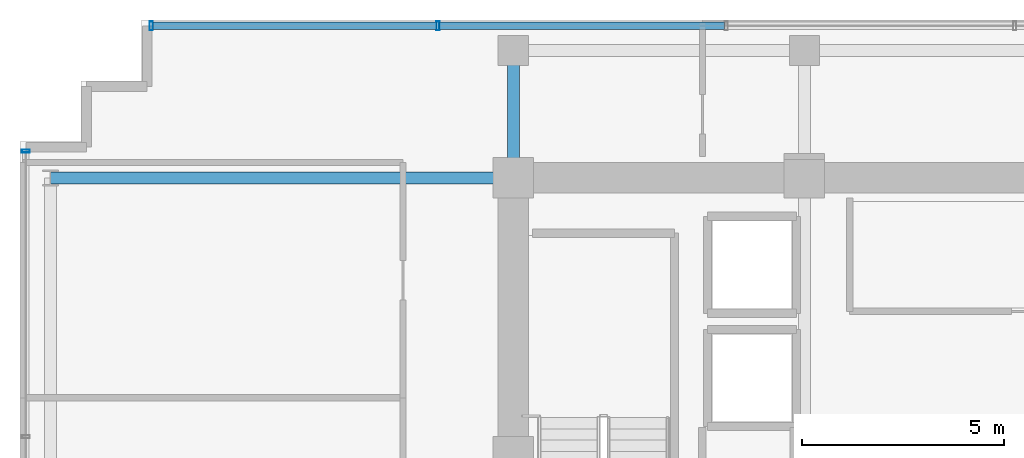
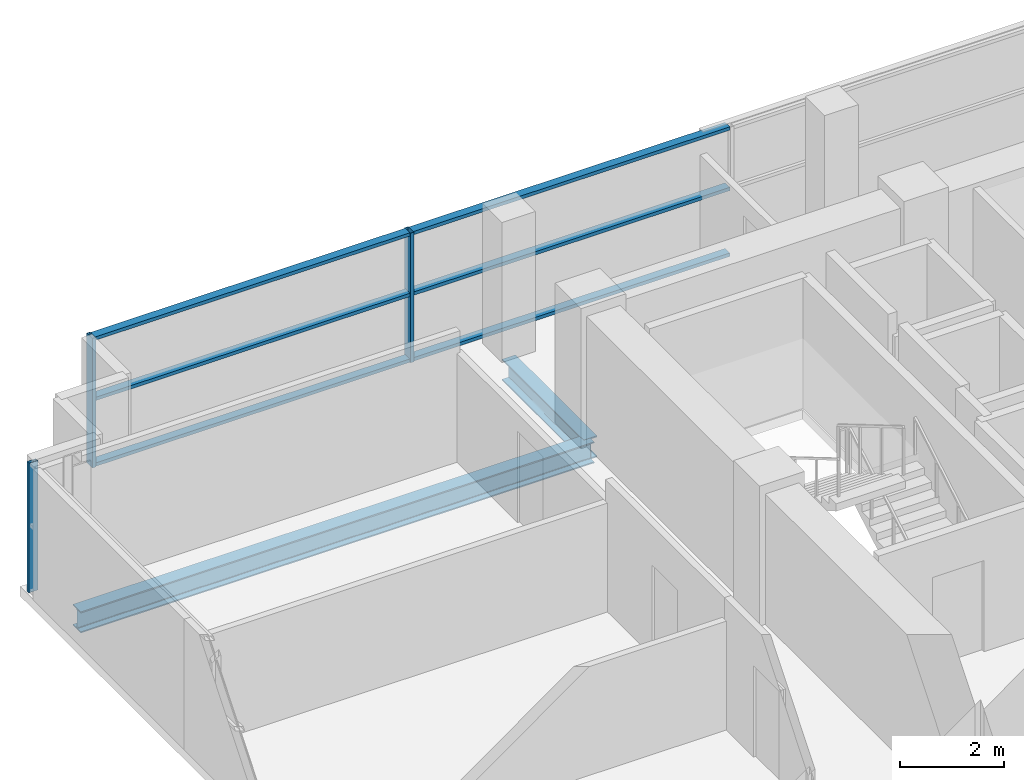
# One storey, part 13 of 25: 9 members, 2 beams, 2 elements without a shape of their own.
"""IFC4 building model written with IfcOpenShell, lengths in metres."""

import ifcopenshell
import ifcopenshell.guid

model = None  # the IFC model being written
_history = None  # IfcOwnerHistory: only IFC2X3 demands one
_inside = {}  # id of a spatial element -> (the spatial element, [elements in it])
_under = {}  # id of a project, library or spatial element -> (it, [spatial elements below it])
_declared = {}  # id of a project -> (the project, [libraries it declares])
_typed = {}  # id of a type object -> (the type object, [elements of that type])
_made_of = {}  # id of a material, layer set ... -> (it, [elements and type objects made of it])


def new_model(schema):
    """Start an empty IFC model of exactly this schema.

    Asked for "IFC4X3", IfcOpenShell would pick the latest addendum, in which some entities
    have other attributes; the version numbers below select the first issue.
    IFC2X3 requires an IfcOwnerHistory on every rooted entity: one is made here for all.
    """
    global model, _history
    if schema == "IFC4X3":
        model = ifcopenshell.file(schema_version=(4, 3, 0, 0))
    else:
        model = ifcopenshell.file(schema=schema)
    _inside.clear()
    _under.clear()
    _declared.clear()
    _typed.clear()
    _made_of.clear()
    _history = None
    if model.schema == "IFC2X3":
        org = make("IfcOrganization", Name="unknown")
        user = make(
            "IfcPersonAndOrganization",
            ThePerson=make("IfcPerson", FamilyName="unknown"),
            TheOrganization=org,
        )
        app = make(
            "IfcApplication",
            ApplicationDeveloper=org,
            Version="unknown",
            ApplicationFullName="unknown",
            ApplicationIdentifier="unknown",
        )
        _history = make(
            "IfcOwnerHistory",
            OwningUser=user,
            OwningApplication=app,
            ChangeAction="ADDED",
            CreationDate=0,
        )
    return model


def make(cls, **values):
    """One entity of the class cls with the attributes given. An attribute that is None is left unset."""
    return model.create_entity(
        cls, **{name: value for name, value in values.items() if value is not None}
    )


def rooted(cls, **values):
    """An entity with a GlobalId (a new one), such as an element, a storey or a relation."""
    return make(cls, GlobalId=ifcopenshell.guid.new(), OwnerHistory=_history, **values)


def si_unit(unit_type, name, prefix=None):
    """IfcSIUnit, for example si_unit("LENGTHUNIT", "METRE", prefix="MILLI")."""
    return make("IfcSIUnit", UnitType=unit_type, Prefix=prefix, Name=name)


def assignment(units):
    """IfcUnitAssignment: the units of a project."""
    return None if units is None else make("IfcUnitAssignment", Units=units)


def point(xyz):
    """IfcCartesianPoint."""
    return None if xyz is None else make("IfcCartesianPoint", Coordinates=xyz)


def direction(xyz):
    """IfcDirection."""
    return None if xyz is None else make("IfcDirection", DirectionRatios=xyz)


def frame(location, z_axis=None, x_axis=None):
    """IfcAxis2Placement3D, a coordinate frame: its origin and axes. An axis left out is left unset."""
    return make(
        "IfcAxis2Placement3D",
        Location=point(location),
        Axis=direction(z_axis),
        RefDirection=direction(x_axis),
    )


def frame_2d(location, x_axis=None):
    """IfcAxis2Placement2D, a coordinate frame in the plane: its origin and x axis."""
    return make(
        "IfcAxis2Placement2D", Location=point(location), RefDirection=direction(x_axis)
    )


def origin():
    """The frame at (0, 0, 0) with its axes left unset."""
    return frame((0.0, 0.0, 0.0))


def origin_2d():
    """The frame at (0, 0) in the plane with its x axis left unset."""
    return frame_2d((0.0, 0.0))


def place(relative_to, where):
    """IfcLocalPlacement: puts the frame where relative to a parent placement (None: the world)."""
    return make(
        "IfcLocalPlacement", PlacementRelTo=relative_to, RelativePlacement=where
    )


def context(
    kind, dimensions, precision=None, world=None, true_north=None, identifier=None
):
    """IfcGeometricRepresentationContext, for example the 3D "Model" context."""
    return make(
        "IfcGeometricRepresentationContext",
        ContextIdentifier=identifier,
        ContextType=kind,
        CoordinateSpaceDimension=dimensions,
        Precision=precision,
        WorldCoordinateSystem=world,
        TrueNorth=true_north,
    )


def subcontext(parent, identifier, kind, view, scale=None):
    """IfcGeometricRepresentationSubContext, for example "Body" below "Model"."""
    return make(
        "IfcGeometricRepresentationSubContext",
        ContextIdentifier=identifier,
        ContextType=kind,
        ParentContext=parent,
        TargetScale=scale,
        TargetView=view,
    )


def project(units=None, contexts=None):
    """IfcProject with its units and contexts."""
    return rooted(
        "IfcProject",
        Name="project",
        RepresentationContexts=contexts,
        UnitsInContext=assignment(units),
    )


def spatial(cls, under=None, at=None, **own):
    """A site, building, storey or space (cls), placed at a placement, below another one or the project."""
    s = rooted(cls, ObjectPlacement=at, **own)
    if under is not None:
        _under.setdefault(under.id(), (under, []))[1].append(s)
    return s


def profile(cls, at=None, kind="AREA", **sizes):
    """A parametric profile (cls). Its sizes go by their IFC names, for example OverallWidth=200.0."""
    return make(cls, ProfileType=kind, Position=at, **sizes)


def hollow_rectangle(**sizes):
    """IfcRectangleHollowProfileDef."""
    return profile("IfcRectangleHollowProfileDef", **sizes)


def i_section(**sizes):
    """IfcIShapeProfileDef."""
    return profile("IfcIShapeProfileDef", **sizes)


def extrude(swept, where, along, depth):
    """IfcExtrudedAreaSolid: the profile swept, set in the frame where, extruded along a direction by depth."""
    return make(
        "IfcExtrudedAreaSolid",
        SweptArea=swept,
        Position=where,
        ExtrudedDirection=direction(along),
        Depth=depth,
    )


def shape(context_of_items, identifier, shape_type, items):
    """IfcShapeRepresentation: the items that make up one representation, for example the "Body"."""
    return make(
        "IfcShapeRepresentation",
        ContextOfItems=context_of_items,
        RepresentationIdentifier=identifier,
        RepresentationType=shape_type,
        Items=items,
    )


def source(mapping_origin, context_of_items, identifier, shape_type, items):
    """IfcRepresentationMap: a shape defined once, which mapped items show again and again."""
    return make(
        "IfcRepresentationMap",
        MappingOrigin=mapping_origin,
        MappedRepresentation=shape(context_of_items, identifier, shape_type, items),
    )


def transform(
    local_origin,
    x_axis=None,
    y_axis=None,
    z_axis=None,
    scale=None,
    scale2=None,
    scale3=None,
    uniform=True,
):
    """IfcCartesianTransformationOperator3D, or its non-uniform kind. x_axis, y_axis, z_axis: its Axis1, 2, 3."""
    if uniform:
        return make(
            "IfcCartesianTransformationOperator3D",
            Axis1=direction(x_axis),
            Axis2=direction(y_axis),
            LocalOrigin=point(local_origin),
            Scale=scale,
            Axis3=direction(z_axis),
        )
    return make(
        "IfcCartesianTransformationOperator3DnonUniform",
        Axis1=direction(x_axis),
        Axis2=direction(y_axis),
        LocalOrigin=point(local_origin),
        Scale=scale,
        Axis3=direction(z_axis),
        Scale2=scale2,
        Scale3=scale3,
    )


def mapped(mapping_source, mapping_target):
    """IfcMappedItem: shows the shape of a source again, moved by a transform."""
    return make(
        "IfcMappedItem", MappingSource=mapping_source, MappingTarget=mapping_target
    )


def material(Name=None, Category=None):
    """IfcMaterial."""
    return make("IfcMaterial", Name=Name, Category=Category)


def layer(
    of_material, thickness, ventilated=None, Name=None, Category=None, Priority=None
):
    """IfcMaterialLayer: one layer of a wall or slab, of a material (None: an air gap)."""
    return make(
        "IfcMaterialLayer",
        Material=of_material,
        LayerThickness=thickness,
        IsVentilated=ventilated,
        Name=Name,
        Category=Category,
        Priority=Priority,
    )


def layer_set(layers, Name=None):
    """IfcMaterialLayerSet."""
    return make("IfcMaterialLayerSet", MaterialLayers=layers, LayerSetName=Name)


def material_profile(
    of_material, cross_section, Name=None, Category=None, Priority=None
):
    """IfcMaterialProfile: a cross section and its material."""
    return make(
        "IfcMaterialProfile",
        Name=Name,
        Material=of_material,
        Profile=cross_section,
        Priority=Priority,
        Category=Category,
    )


def profile_set(profiles, Name=None, composite=None):
    """IfcMaterialProfileSet."""
    return make(
        "IfcMaterialProfileSet",
        Name=Name,
        MaterialProfiles=profiles,
        CompositeProfile=composite,
    )


def made_of(thing, what):
    """Note that an element or type object is made of a material, layer set ...; save() writes the relation."""
    if what is not None:
        _made_of.setdefault(what.id(), (what, []))[1].append(thing)
    return thing


def type_object(cls, material=None, **own):
    """A type object (cls), such as IfcWallType, which elements share."""
    return made_of(rooted(cls, **own), material)


def element(
    cls,
    number,
    at=None,
    inside=None,
    cuts=None,
    type_object=None,
    material=None,
    context=None,
    identifier="Body",
    shape_type=None,
    held_by="IfcProductDefinitionShape",
    body=None,
    shapes=None,
    **own,
):
    """One element of the class cls, such as IfcWall. Its Tag is "e" and its number.

    at: its placement. inside: the storey or other place that contains it. cuts: it is an
    opening in that element (IfcRelVoidsElement). A single representation is given by context,
    identifier, shape_type and body (its items); several are given by shapes. held_by: the class
    of the entity that holds the representations. save() writes the other relations.
    """
    e = rooted(cls, Tag="e%d" % number, ObjectPlacement=at, **own)
    if body is not None:
        shapes = [shape(context, identifier, shape_type, body)]
    if shapes is not None:
        e.Representation = make(held_by, Representations=shapes)
    if inside is not None:
        _inside.setdefault(inside.id(), (inside, []))[1].append(e)
    if cuts is not None:
        rooted(
            "IfcRelVoidsElement", RelatingBuildingElement=cuts, RelatedOpeningElement=e
        )
    if type_object is not None:
        _typed.setdefault(type_object.id(), (type_object, []))[1].append(e)
    return made_of(e, material)


def aggregate(whole, parts):
    """IfcRelAggregates: a whole, such as a stair, and the parts it consists of."""
    return rooted("IfcRelAggregates", RelatingObject=whole, RelatedObjects=parts)


def save(model, path):
    """Write the relations noted so far, then the file.

    IfcRelAggregates (storeys below a building ...), IfcRelContainedInSpatialStructure (elements
    in a storey), IfcRelDefinesByType, IfcRelAssociatesMaterial and IfcRelDeclares: one each for
    every whole, place, type object, material and project.
    """
    for whole, parts in _under.values():
        aggregate(whole, parts)
    for where, things in _inside.values():
        rooted(
            "IfcRelContainedInSpatialStructure",
            RelatedElements=things,
            RelatingStructure=where,
        )
    for kind, things in _typed.values():
        rooted("IfcRelDefinesByType", RelatedObjects=things, RelatingType=kind)
    for what, things in _made_of.values():
        rooted("IfcRelAssociatesMaterial", RelatedObjects=things, RelatingMaterial=what)
    for by, libraries in _declared.values():
        rooted("IfcRelDeclares", RelatingContext=by, RelatedDefinitions=libraries)
    model.write(path)


model = new_model("IFC4")

# Units and contexts
model_context = context("Model", 3, precision=1e-05, world=origin(), true_north=direction((0.0, 1.0)))
body_context = subcontext(model_context, "Body", "Model", "MODEL_VIEW")
ifc_project = project(units=[si_unit("LENGTHUNIT", "METRE"), si_unit("AREAUNIT", "SQUARE_METRE"), si_unit("VOLUMEUNIT", "CUBIC_METRE"), si_unit("PLANEANGLEUNIT", "RADIAN"), si_unit("MASSUNIT", "GRAM", prefix="KILO")], contexts=[model_context])

# Site, building, storey
site_placement = place(None, origin())
site = spatial("IfcSite", under=ifc_project, at=site_placement, CompositionType="ELEMENT")
building_placement = place(site_placement, origin())
building = spatial("IfcBuilding", under=site, at=building_placement, Name="Zarnakvel Exchange Tower", CompositionType="ELEMENT")
storey_placement = place(building_placement, frame((0.0, 0.0, 162.699951171875)))
storey = spatial("IfcBuildingStorey", under=building, at=storey_placement, Name="L45", CompositionType="ELEMENT", Elevation=162.699951171875)

# Beams
ifc_material_1 = material(Name="Steel S355", Category="steel")
ifc_material_profile_1 = material_profile(ifc_material_1, i_section(OverallWidth=0.300048828125, OverallDepth=0.5, WebThickness=0.014404296875, FlangeThickness=0.028076171875, FilletRadius=0.027099609375, at=origin_2d()))
ifc_profile_set_1 = profile_set([ifc_material_profile_1], Name="Steel S355")
beam_type = type_object("IfcBeamType", Name="G-06", PredefinedType="BEAM", material=ifc_profile_set_1)
beam_1_placement = place(storey_placement, frame((-25.85009765625, 13.5, -0.474853515625), z_axis=(1.0, 0.0, 0.0), x_axis=(0.0, 1.0, 0.0)))
element("IfcBeam", 1, at=beam_1_placement, inside=storey, type_object=beam_type, Name="L45 Tower E-W Frame Beam", PredefinedType="BEAM", context=body_context, shape_type="SweptSolid", body=[
    extrude(i_section(OverallWidth=0.300048828125, OverallDepth=0.5, WebThickness=0.014404296875, FlangeThickness=0.028076171875, FilletRadius=0.027099609375, at=origin_2d()), origin(), (0.0, 0.0, 1.0), 11.4501953125),
])
beam_2_placement = place(storey_placement, frame((-14.39990234375, 13.5, -0.474853515625), z_axis=(0.0, 1.0, 0.0), x_axis=(-1.0, 0.0, 0.0)))
element("IfcBeam", 2, at=beam_2_placement, inside=storey, type_object=beam_type, Name="L45 Tower N-S Frame Beam", PredefinedType="BEAM", context=body_context, shape_type="SweptSolid", body=[
    extrude(i_section(OverallWidth=0.300048828125, OverallDepth=0.5, WebThickness=0.014404296875, FlangeThickness=0.028076171875, FilletRadius=0.027099609375, at=origin_2d()), origin(), (0.0, 0.0, 1.0), 3.14990234375),
])

# Curtain wall, member
ifc_material_2 = material(Name="Architectural Bronze Anodised Aluminium", Category="aluminium")
ifc_layer_1 = layer(ifc_material_2, 0.199951171875)
ifc_layer_set_1 = layer_set([ifc_layer_1], Name="Architectural Bronze Anodised Aluminium")
curtain_wall_type_1 = type_object("IfcCurtainWallType", Name="CW-04", PredefinedType="NOTDEFINED", material=ifc_layer_set_1)
curtain_wall_1_placement = place(storey_placement, origin())
curtain_wall_1 = element("IfcCurtainWall", 3, at=curtain_wall_1_placement, inside=storey, type_object=curtain_wall_type_1, Name="L45 Curtain Wall CW-L45-W1 (CW-04)", PredefinedType="NOTDEFINED")
ifc_material_profile_2 = material_profile(ifc_material_2, hollow_rectangle(XDim=0.199951171875, YDim=0.074951171875, WallThickness=0.0048828125, at=origin_2d()))
ifc_profile_set_2 = profile_set([ifc_material_profile_2], Name="Architectural Bronze Anodised Aluminium")
member_type_1 = type_object("IfcMemberType", Name="CWM-04", PredefinedType="MULLION", material=ifc_profile_set_2)
shared_shape_1 = source(origin(), body_context, "Body", "SweptSolid", [
    extrude(hollow_rectangle(XDim=0.199951171875, YDim=0.074951171875, WallThickness=0.0048828125, at=origin_2d()), origin(), (0.0, 0.0, 1.0), 3.054931640625),
])
member_1_placement = place(storey_placement, frame((-26.4599609375, 14.16259765625, 0.0), z_axis=(0.0, 0.0, 1.0), x_axis=(-1.0, 0.0, 0.0)))
member_1 = element("IfcMember", 4, at=member_1_placement, type_object=member_type_1, Name="CW-04 mullion 5", PredefinedType="MULLION", context=body_context, shape_type="MappedRepresentation", body=[
    mapped(shared_shape_1, transform((0.0, 0.0, 0.0), x_axis=(1.0, 0.0, 0.0), y_axis=(0.0, 1.0, 0.0), z_axis=(0.0, 0.0, 1.0), scale=1.0)),
])
aggregate(curtain_wall_1, [member_1])

# Curtain wall, members
ifc_layer_2 = layer(ifc_material_2, 0.219970703125)
ifc_layer_set_2 = layer_set([ifc_layer_2], Name="Architectural Bronze Anodised Aluminium")
curtain_wall_type_2 = type_object("IfcCurtainWallType", Name="CW-03", PredefinedType="NOTDEFINED", material=ifc_layer_set_2)
curtain_wall_2_placement = place(storey_placement, origin())
curtain_wall_2 = element("IfcCurtainWall", 5, at=curtain_wall_2_placement, inside=storey, type_object=curtain_wall_type_2, Name="L45 Curtain Wall CW-L45-N1 (CW-03)", PredefinedType="NOTDEFINED")
ifc_material_profile_3 = material_profile(ifc_material_2, hollow_rectangle(XDim=0.219970703125, YDim=0.080078125, WallThickness=0.0048828125, at=origin_2d()))
ifc_profile_set_3 = profile_set([ifc_material_profile_3], Name="Architectural Bronze Anodised Aluminium")
member_type_2 = type_object("IfcMemberType", Name="CWM-03", PredefinedType="MULLION", material=ifc_profile_set_3)
shared_shape_2 = source(origin(), body_context, "Body", "SweptSolid", [
    extrude(hollow_rectangle(XDim=0.219970703125, YDim=0.080078125, WallThickness=0.0048828125, at=origin_2d()), origin(), (0.0, 0.0, 1.0), 3.054931640625),
])
member_2_placement = place(storey_placement, frame((-23.360107421875, 17.260009765625, 0.0), z_axis=(0.0, 0.0, 1.0), x_axis=(0.0, 1.0, 0.0)))
member_2 = element("IfcMember", 6, at=member_2_placement, type_object=member_type_2, Name="CW-03 mullion 1", PredefinedType="MULLION", context=body_context, shape_type="MappedRepresentation", body=[
    mapped(shared_shape_2, transform((0.0, 0.0, 0.0), x_axis=(1.0, 0.0, 0.0), y_axis=(0.0, 1.0, 0.0), z_axis=(0.0, 0.0, 1.0), scale=1.0)),
])
member_3_placement = place(storey_placement, frame((-16.2666015625, 17.260009765625, 0.0), z_axis=(0.0, 0.0, 1.0), x_axis=(0.0, 1.0, 0.0)))
member_3 = element("IfcMember", 7, at=member_3_placement, type_object=member_type_2, Name="CW-03 mullion 2", PredefinedType="MULLION", context=body_context, shape_type="MappedRepresentation", body=[
    mapped(shared_shape_2, transform((0.0, 0.0, 0.0), x_axis=(1.0, 0.0, 0.0), y_axis=(0.0, 1.0, 0.0), z_axis=(0.0, 0.0, 1.0), scale=1.0)),
])
ifc_material_profile_4 = material_profile(ifc_material_2, hollow_rectangle(XDim=0.179931640625, YDim=0.080078125, WallThickness=0.00390625, at=origin_2d()))
ifc_profile_set_4 = profile_set([ifc_material_profile_4], Name="Architectural Bronze Anodised Aluminium")
member_type_3 = type_object("IfcMemberType", Name="CWT-03", PredefinedType="USERDEFINED", material=ifc_profile_set_4)
shared_shape_3 = source(origin(), body_context, "Body", "SweptSolid", [
    extrude(hollow_rectangle(XDim=0.179931640625, YDim=0.080078125, WallThickness=0.00390625, at=origin_2d()), origin(), (0.0, 0.0, 1.0), 7.013427734375),
])
member_4_placement = place(storey_placement, frame((-23.320068359375, 17.260009765625, 0.0400390625), z_axis=(1.0, 0.0, 0.0), x_axis=(0.0, 1.0, 0.0)))
member_4 = element("IfcMember", 8, at=member_4_placement, type_object=member_type_3, Name="CW-03 transom 1.1", ObjectType="TRANSOM", PredefinedType="USERDEFINED", context=body_context, shape_type="MappedRepresentation", body=[
    mapped(shared_shape_3, transform((0.0, 0.0, 0.0), x_axis=(1.0, 0.0, 0.0), y_axis=(0.0, 1.0, 0.0), z_axis=(0.0, 0.0, 1.0), scale=1.0)),
])
member_5_placement = place(storey_placement, frame((-23.320068359375, 17.260009765625, 1.588623046875), z_axis=(1.0, 0.0, 0.0), x_axis=(0.0, 1.0, 0.0)))
member_5 = element("IfcMember", 9, at=member_5_placement, type_object=member_type_3, Name="CW-03 transom 1.2", ObjectType="TRANSOM", PredefinedType="USERDEFINED", context=body_context, shape_type="MappedRepresentation", body=[
    mapped(shared_shape_3, transform((0.0, 0.0, 0.0), x_axis=(1.0, 0.0, 0.0), y_axis=(0.0, 1.0, 0.0), z_axis=(0.0, 0.0, 1.0), scale=1.0)),
])
member_6_placement = place(storey_placement, frame((-23.320068359375, 17.260009765625, 3.01513671875), z_axis=(1.0, 0.0, 0.0), x_axis=(0.0, 1.0, 0.0)))
member_6 = element("IfcMember", 10, at=member_6_placement, type_object=member_type_3, Name="CW-03 transom 1.3", ObjectType="TRANSOM", PredefinedType="USERDEFINED", context=body_context, shape_type="MappedRepresentation", body=[
    mapped(shared_shape_3, transform((0.0, 0.0, 0.0), x_axis=(1.0, 0.0, 0.0), y_axis=(0.0, 1.0, 0.0), z_axis=(0.0, 0.0, 1.0), scale=1.0)),
])
shared_shape_4 = source(origin(), body_context, "Body", "SweptSolid", [
    extrude(hollow_rectangle(XDim=0.179931640625, YDim=0.080078125, WallThickness=0.00390625, at=origin_2d()), origin(), (0.0, 0.0, 1.0), 7.05322265625),
])
member_7_placement = place(storey_placement, frame((-16.2265625, 17.260009765625, 0.0400390625), z_axis=(1.0, 0.0, 0.0), x_axis=(0.0, 1.0, 0.0)))
member_7 = element("IfcMember", 11, at=member_7_placement, type_object=member_type_3, Name="CW-03 transom 2.1", ObjectType="TRANSOM", PredefinedType="USERDEFINED", context=body_context, shape_type="MappedRepresentation", body=[
    mapped(shared_shape_4, transform((0.0, 0.0, 0.0), x_axis=(1.0, 0.0, 0.0), y_axis=(0.0, 1.0, 0.0), z_axis=(0.0, 0.0, 1.0), scale=1.0)),
])
member_8_placement = place(storey_placement, frame((-16.2265625, 17.260009765625, 1.588623046875), z_axis=(1.0, 0.0, 0.0), x_axis=(0.0, 1.0, 0.0)))
member_8 = element("IfcMember", 12, at=member_8_placement, type_object=member_type_3, Name="CW-03 transom 2.2", ObjectType="TRANSOM", PredefinedType="USERDEFINED", context=body_context, shape_type="MappedRepresentation", body=[
    mapped(shared_shape_4, transform((0.0, 0.0, 0.0), x_axis=(1.0, 0.0, 0.0), y_axis=(0.0, 1.0, 0.0), z_axis=(0.0, 0.0, 1.0), scale=1.0)),
])
member_9_placement = place(storey_placement, frame((-16.2265625, 17.260009765625, 3.01513671875), z_axis=(1.0, 0.0, 0.0), x_axis=(0.0, 1.0, 0.0)))
member_9 = element("IfcMember", 13, at=member_9_placement, type_object=member_type_3, Name="CW-03 transom 2.3", ObjectType="TRANSOM", PredefinedType="USERDEFINED", context=body_context, shape_type="MappedRepresentation", body=[
    mapped(shared_shape_4, transform((0.0, 0.0, 0.0), x_axis=(1.0, 0.0, 0.0), y_axis=(0.0, 1.0, 0.0), z_axis=(0.0, 0.0, 1.0), scale=1.0)),
])
aggregate(curtain_wall_2, [member_2, member_3, member_4, member_5, member_6, member_7, member_8, member_9])

save(model, "model.ifc")
